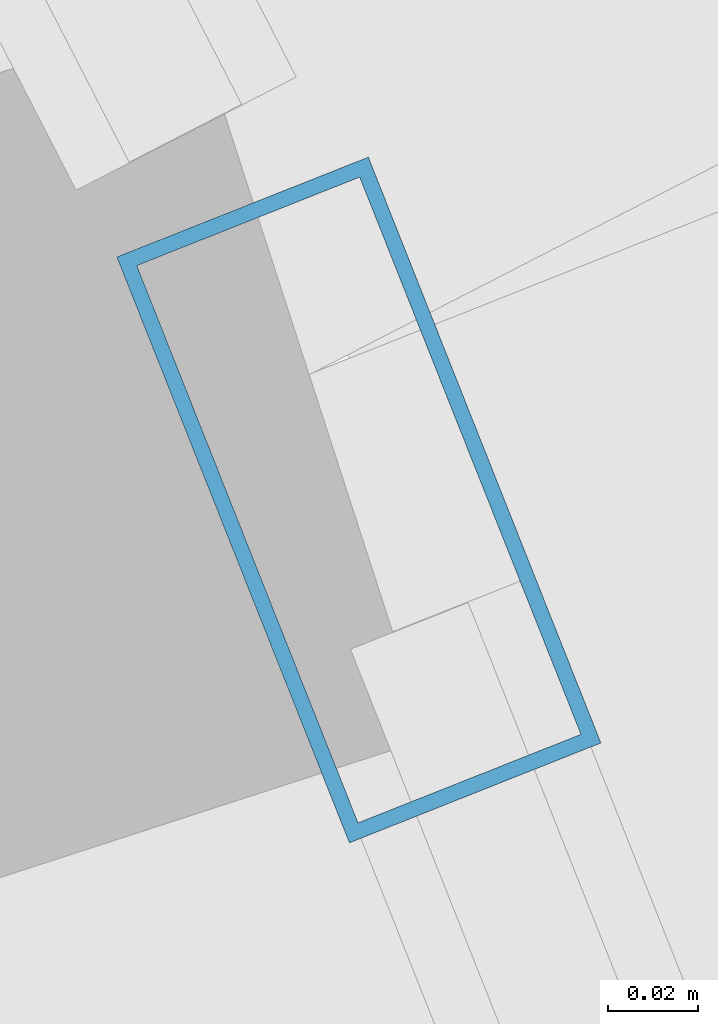
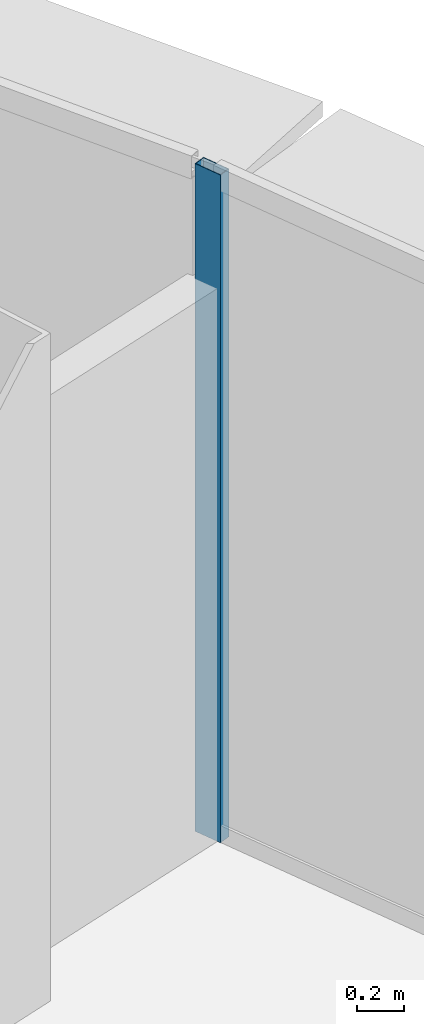
# One storey, part 15 of 29: 1 member, 1 element without a shape of its own.
"""IFC4 building model written with IfcOpenShell, lengths in metres."""

from ifc_helpers import new_model, si_unit, direction, frame, origin, origin_2d, place, context, subcontext, project, spatial, hollow_rectangle, extrude, source, transform, mapped, material, layer, layer_set, material_profile, profile_set, type_object, element, aggregate, save


model = new_model("IFC4")

# Units and contexts
model_context = context("Model", 3, precision=1e-05, world=origin(), true_north=direction((0.0, 1.0)))
body_context = subcontext(model_context, "Body", "Model", "MODEL_VIEW")
ifc_project = project(units=[si_unit("LENGTHUNIT", "METRE"), si_unit("AREAUNIT", "SQUARE_METRE"), si_unit("VOLUMEUNIT", "CUBIC_METRE"), si_unit("PLANEANGLEUNIT", "RADIAN"), si_unit("MASSUNIT", "GRAM", prefix="KILO"), si_unit("THERMODYNAMICTEMPERATUREUNIT", "KELVIN"), si_unit("POWERUNIT", "WATT")], contexts=[model_context])

# Site, building, storey
site_placement = place(None, origin())
site = spatial("IfcSite", under=ifc_project, at=site_placement, CompositionType="ELEMENT")
building_placement = place(site_placement, origin())
building = spatial("IfcBuilding", under=site, at=building_placement, Name="Yunzhuo Pagoda Commons", CompositionType="ELEMENT")
storey_placement = place(building_placement, frame((0.0, 0.0, 359.260009765625)))
storey = spatial("IfcBuildingStorey", under=building, at=storey_placement, Name="L90", CompositionType="ELEMENT", Elevation=359.260009765625)

# Curtain wall, member
ifc_material = material(Name="Anodized aluminium 6063-T6", Category="aluminium")
ifc_layer = layer(ifc_material, 0.139892578125)
ifc_layer_set = layer_set([ifc_layer], Name="Anodized aluminium 6063-T6")
curtain_wall_type = type_object("IfcCurtainWallType", Name="CW-HI High-Zone Ribbon Curtain Wall", PredefinedType="NOTDEFINED", material=ifc_layer_set)
curtain_wall_placement = place(storey_placement, origin())
curtain_wall = element("IfcCurtainWall", 1, at=curtain_wall_placement, inside=storey, type_object=curtain_wall_type, Name="L90 curtain wall CW-L90-F2B2", PredefinedType="NOTDEFINED")
ifc_material_profile = material_profile(ifc_material, hollow_rectangle(XDim=0.06005859375, YDim=0.139892578125, WallThickness=0.00341796875, at=origin_2d()), Name="Anodized aluminium 6063-T6")
ifc_profile_set = profile_set([ifc_material_profile], Name="Anodized aluminium 6063-T6")
member_type = type_object("IfcMemberType", Name="CW-HI-M Mullion RHS 140x60x3.5", PredefinedType="MULLION", material=ifc_profile_set)
shared_shape = source(origin(), body_context, "Body", "SweptSolid", [
    extrude(hollow_rectangle(XDim=0.06005859375, YDim=0.139892578125, WallThickness=0.00341796875, at=origin_2d()), origin(), (0.0, 0.0, 1.0), 3.489990234375),
])
member_placement = place(storey_placement, frame((69.715576171875, 40.724365234375, 0.0), z_axis=(0.0, 0.0, 1.0), x_axis=(-0.929441197274, -0.368970270902, 0.0)))
member = element("IfcMember", 2, at=member_placement, type_object=member_type, Name="CW mullion 2", PredefinedType="MULLION", context=body_context, shape_type="MappedRepresentation", body=[
    mapped(shared_shape, transform((0.0, 0.0, 0.0), scale=1.0)),
])
aggregate(curtain_wall, [member])

save(model, "model.ifc")
